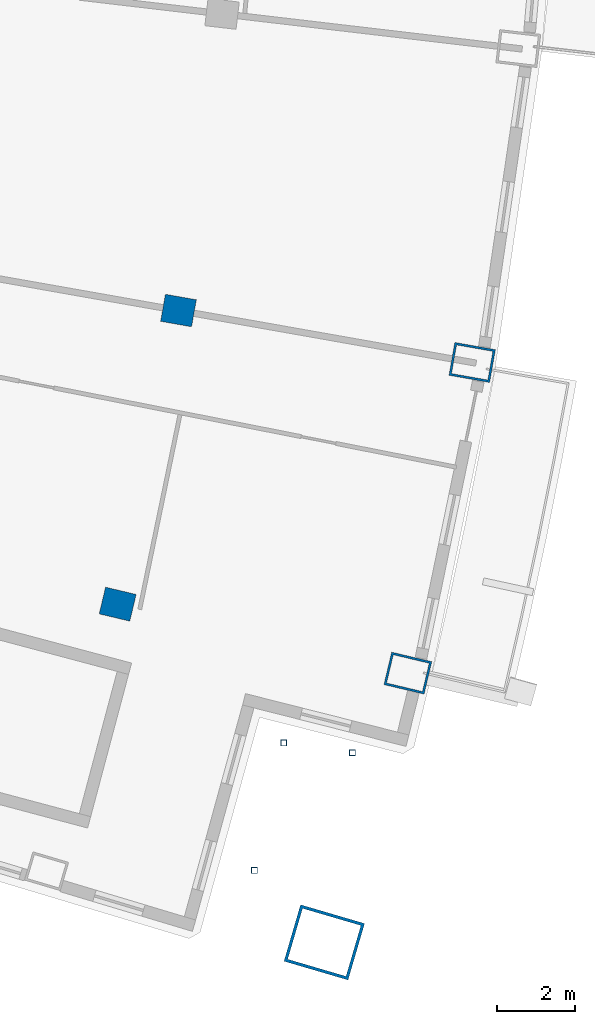
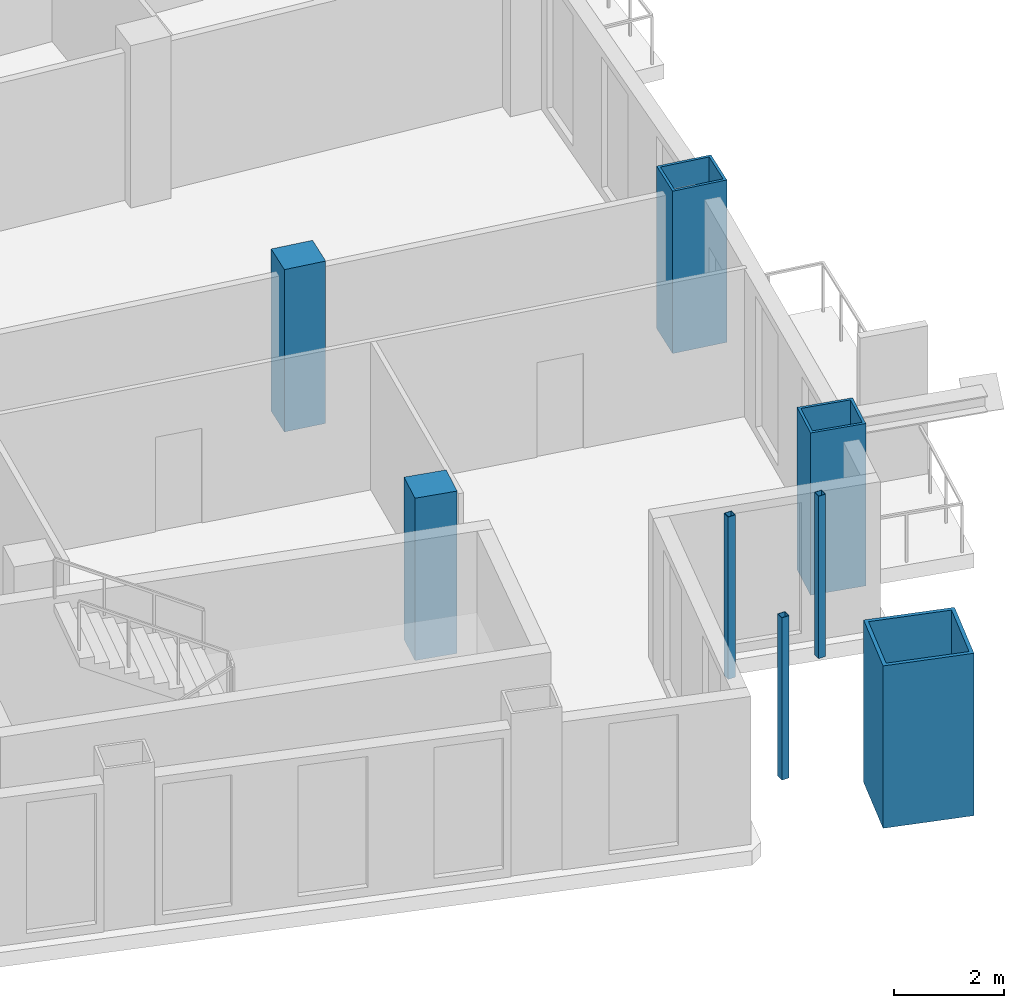
# One storey, part 3 of 19: 8 columns.
"""IFC4 building model written with IfcOpenShell, lengths in metres."""

from ifc_helpers import new_model, si_unit, direction, frame, origin, origin_2d, place, context, subcontext, project, spatial, rectangle, hollow_rectangle, extrude, material, material_profile, profile_set, type_object, element, save


model = new_model("IFC4")

# Units and contexts
model_context = context("Model", 3, precision=1e-05, world=origin(), true_north=direction((0.0, 1.0)))
body_context = subcontext(model_context, "Body", "Model", "MODEL_VIEW")
ifc_project = project(units=[si_unit("LENGTHUNIT", "METRE"), si_unit("AREAUNIT", "SQUARE_METRE"), si_unit("VOLUMEUNIT", "CUBIC_METRE"), si_unit("PLANEANGLEUNIT", "RADIAN"), si_unit("MASSUNIT", "GRAM", prefix="KILO")], contexts=[model_context])

# Site, building, storey
site_placement = place(None, origin())
site = spatial("IfcSite", under=ifc_project, at=site_placement, CompositionType="ELEMENT")
building_placement = place(site_placement, origin())
building = spatial("IfcBuilding", under=site, at=building_placement, Name="Alderwake Tower", CompositionType="ELEMENT")
storey_placement = place(building_placement, frame((0.0, 0.0, 196.39990234375)))
storey = spatial("IfcBuildingStorey", under=building, at=storey_placement, Name="L48", CompositionType="ELEMENT", Elevation=196.39990234375)

# Columns
ifc_material_1 = material(Name="Concrete C70/85", Category="concrete")
ifc_material_profile_1 = material_profile(ifc_material_1, rectangle(XDim=0.699951171875, YDim=0.800048828125, at=origin_2d()), Name="RC 800X700")
ifc_profile_set_1 = profile_set([ifc_material_profile_1], Name="Concrete C70/85")
column_type_1 = type_object("IfcColumnType", Name="Interior column Z4", PredefinedType="COLUMN", material=ifc_profile_set_1)
for number, where, z_axis, x_axis, name in (
    (1, (47.449951171875, 30.7099609375, 0.0), (0.0, 0.0, 1.0), (0.231221547198, 0.972901123502, 0.0), "Column R03-C4"),
    (2, (48.999267578125, 38.19189453125, 0.0), (0.0, 0.0, 1.0), (0.174108800747, 0.984726421654, 0.0), "Column R04-C4"),
):
    element("IfcColumn", number, at=place(storey_placement, frame(where, z_axis=z_axis, x_axis=x_axis)), inside=storey, type_object=column_type_1, Name=name, PredefinedType="COLUMN", context=body_context, shape_type="SweptSolid", body=[
        extrude(rectangle(XDim=0.699951171875, YDim=0.800048828125, at=origin_2d()), origin(), (0.0, 0.0, 1.0), 3.60009765625),
    ])
ifc_material_2 = material(Name="Steel ASTM A500 Grade C", Category="steel")
ifc_material_profile_2 = material_profile(ifc_material_2, hollow_rectangle(XDim=0.15234375, YDim=0.15234375, WallThickness=0.0087890625, at=origin_2d()), Name="HSS6X6X3/8")
ifc_profile_set_2 = profile_set([ifc_material_profile_2], Name="Steel ASTM A500 Grade C")
column_type_2 = type_object("IfcColumnType", Name="Light post HSS6X6X3/8", PredefinedType="COLUMN", material=ifc_profile_set_2)
for number, where, z_axis, x_axis, name in (
    (3, (53.4326171875, 26.925537109375, 0.0), (0.0, 0.0, 1.0), (1.0, 0.0, 0.0), "Terrace post FS1"),
    (4, (50.9326171875, 23.925537109375, 0.0), (0.0, 0.0, 1.0), (1.0, 0.0, 0.0), "Terrace post FS2"),
    (5, (51.6826171875, 27.175537109375, 0.0), (0.0, 0.0, 1.0), (1.0, 0.0, 0.0), "Terrace post FS3"),
):
    element("IfcColumn", number, at=place(storey_placement, frame(where, z_axis=z_axis, x_axis=x_axis)), inside=storey, type_object=column_type_2, Name=name, PredefinedType="COLUMN", context=body_context, shape_type="SweptSolid", body=[
        extrude(hollow_rectangle(XDim=0.15234375, YDim=0.15234375, WallThickness=0.0087890625, at=origin_2d()), origin(), (0.0, 0.0, 1.0), 3.60009765625),
    ])
ifc_material_3 = material(Name="Steel ASTM A572 Grade 50 concrete filled C70/85", Category="concrete")
ifc_material_profile_3 = material_profile(ifc_material_3, hollow_rectangle(XDim=1.5, YDim=1.699951171875, WallThickness=0.074951171875, at=origin_2d()), Name="BOX 1700X1500X75")
ifc_profile_set_3 = profile_set([ifc_material_profile_3], Name="Steel ASTM A572 Grade 50 concrete filled C70/85")
column_type_3 = type_object("IfcColumnType", Name="Mega column Z4", PredefinedType="COLUMN", material=ifc_profile_set_3)
column_placement = place(storey_placement, frame((52.714599609375, 22.093017578125, 0.0), z_axis=(0.0, 0.0, 1.0), x_axis=(0.281323312272, 0.959613043874, 0.0)))
element("IfcColumn", 6, at=column_placement, inside=storey, type_object=column_type_3, Name="Column R02-C5", PredefinedType="COLUMN", context=body_context, shape_type="SweptSolid", body=[
    extrude(hollow_rectangle(XDim=1.5, YDim=1.699951171875, WallThickness=0.074951171875, at=origin_2d()), origin(), (0.0, 0.0, 1.0), 3.60009765625),
])
ifc_material_4 = material(Name="Steel ASTM A572 Grade 50 concrete filled C70/85", Category="concrete")
ifc_material_profile_4 = material_profile(ifc_material_4, hollow_rectangle(XDim=0.85009765625, YDim=1.050048828125, WallThickness=0.054931640625, at=origin_2d()), Name="BOX 1050X850X55")
ifc_profile_set_4 = profile_set([ifc_material_profile_4], Name="Steel ASTM A572 Grade 50 concrete filled C70/85")
column_type_4 = type_object("IfcColumnType", Name="Perimeter column Z4", PredefinedType="COLUMN", material=ifc_profile_set_4)
for number, where, z_axis, x_axis, name in (
    (7, (54.843994140625, 28.95263671875, 0.0), (0.0, 0.0, 1.0), (0.231221547198, 0.972901123502, 0.0), "Column R03-C5"),
    (8, (56.483154296875, 36.86865234375, 0.0), (0.0, 0.0, 1.0), (0.174108800747, 0.984726421654, 0.0), "Column R04-C5"),
):
    element("IfcColumn", number, at=place(storey_placement, frame(where, z_axis=z_axis, x_axis=x_axis)), inside=storey, type_object=column_type_4, Name=name, PredefinedType="COLUMN", context=body_context, shape_type="SweptSolid", body=[
        extrude(hollow_rectangle(XDim=0.85009765625, YDim=1.050048828125, WallThickness=0.054931640625, at=origin_2d()), origin(), (0.0, 0.0, 1.0), 3.60009765625),
    ])

save(model, "model.ifc")
